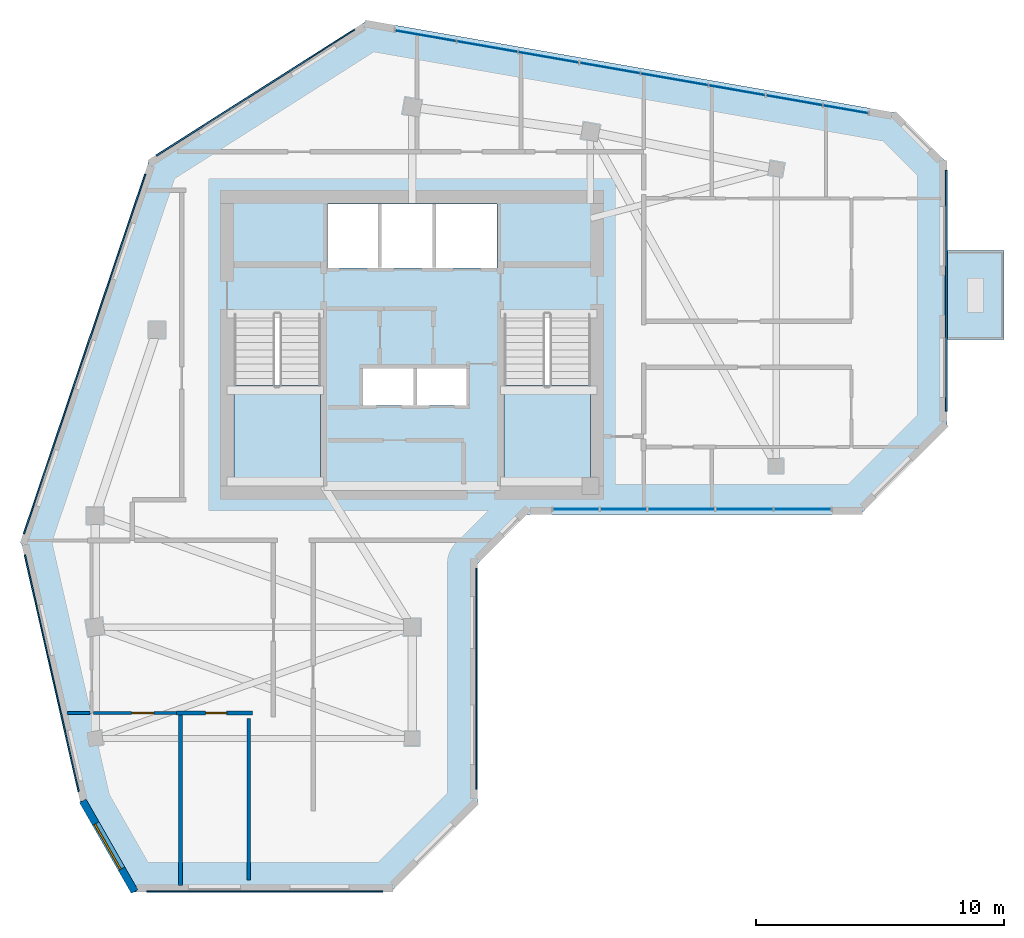
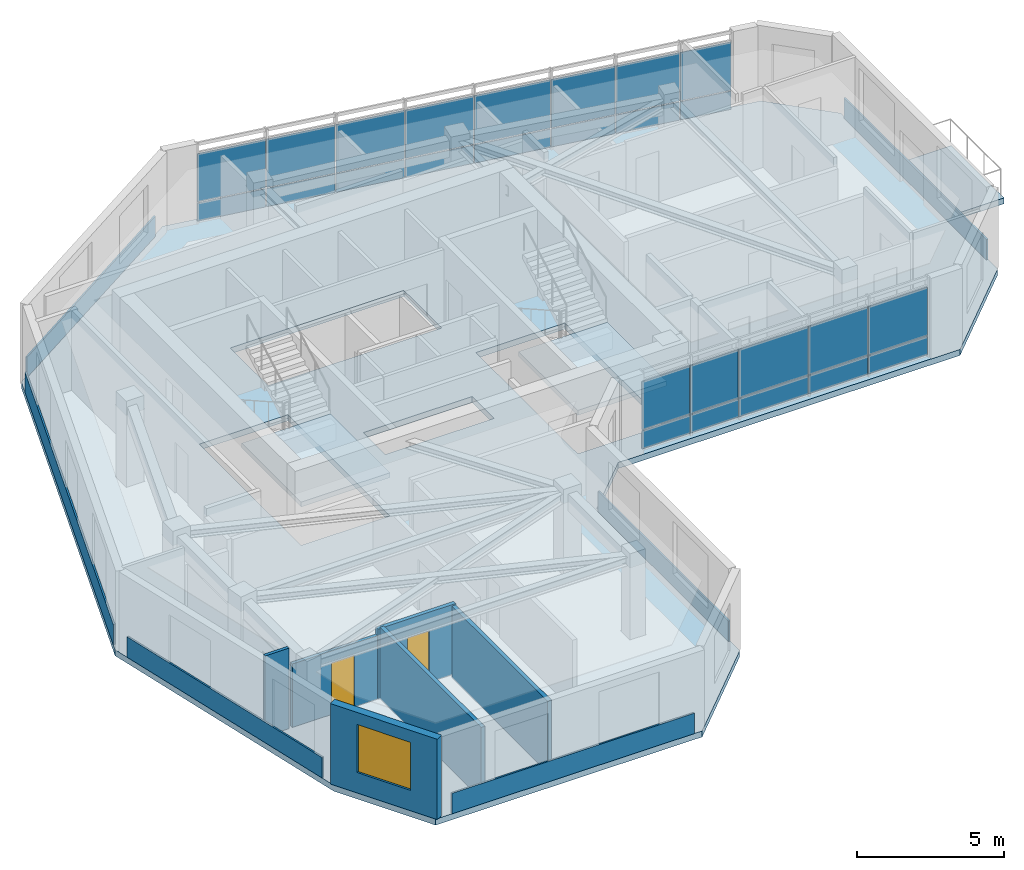
# One storey, part 3 of 10: 32 plates, 6 walls, 4 slabs, 2 doors, 1 window, 3 openings, 4 elements without a shape of their own.
"""IFC4 building model written with IfcOpenShell, lengths in metres."""

from ifc_helpers import new_model, si_unit, direction, frame, frame_2d, origin, place, context, subcontext, project, spatial, polyline, rectangle, outline, extrude, source, transform, mapped, material, layer, layer_set, type_object, element, fill, aggregate, save


model = new_model("IFC4")

# Units and contexts
model_context = context("Model", 3, precision=1e-05, world=origin(), true_north=direction((0.0, 1.0)))
body_context = subcontext(model_context, "Body", "Model", "MODEL_VIEW")
ifc_project = project(units=[si_unit("LENGTHUNIT", "METRE"), si_unit("AREAUNIT", "SQUARE_METRE"), si_unit("VOLUMEUNIT", "CUBIC_METRE"), si_unit("PLANEANGLEUNIT", "RADIAN"), si_unit("MASSUNIT", "GRAM", prefix="KILO")], contexts=[model_context])

# Site, building, storey
site_placement = place(None, origin())
site = spatial("IfcSite", under=ifc_project, at=site_placement, CompositionType="ELEMENT")
building_placement = place(site_placement, origin())
building = spatial("IfcBuilding", under=site, at=building_placement, Name="Calvemar Wedge Station Tower", CompositionType="ELEMENT")
storey_placement = place(building_placement, frame((0.0, 0.0, 267.300048828125)))
storey = spatial("IfcBuildingStorey", under=building, at=storey_placement, Name="L68", CompositionType="ELEMENT", Elevation=267.300048828125)

# Curtain wall, plates
ifc_material_1 = material(Name="Anodised aluminium 6063-T6", Category="aluminium")
curtain_wall_type = type_object("IfcCurtainWallType", Name="CW4", PredefinedType="NOTDEFINED", material=ifc_material_1)
curtain_wall_1_placement = place(storey_placement, origin())
curtain_wall_1 = element("IfcCurtainWall", 1, at=curtain_wall_1_placement, inside=storey, type_object=curtain_wall_type, Name="Storey L68 CW4 Recessed Unitised Curtain Wall 6", PredefinedType="NOTDEFINED")
ifc_material_2 = material(Name="Low-E laminated insulated glass", Category="glass")
ifc_layer_1 = layer(ifc_material_2, 0.028076171875)
ifc_layer_set_1 = layer_set([ifc_layer_1], Name="Low-E laminated insulated glass")
plate_type_1 = type_object("IfcPlateType", Name="CW4-GLZ", PredefinedType="CURTAIN_PANEL", material=ifc_layer_set_1)
plate_1_placement = place(storey_placement, frame((29.48779296875, 33.26611328125, 0.869873046875), z_axis=(0.0, 0.0, 1.0), x_axis=(1.0, 0.0, 0.0)))
plate_1 = element("IfcPlate", 2, at=plate_1_placement, type_object=plate_type_1, Name="CW4 vision glass panel 1", PredefinedType="CURTAIN_PANEL", context=body_context, shape_type="SweptSolid", body=[
    extrude(rectangle(XDim=1.874267578125, YDim=0.028076171875, at=frame_2d((0.93701171875, 0.0))), origin(), (0.0, 0.0, 1.0), 2.010009765625),
])
plate_2_placement = place(storey_placement, frame((31.39794921875, 33.26611328125, 0.869873046875), z_axis=(0.0, 0.0, 1.0), x_axis=(1.0, 0.0, 0.0)))
plate_2 = element("IfcPlate", 3, at=plate_2_placement, type_object=plate_type_1, Name="CW4 vision glass panel 2", PredefinedType="CURTAIN_PANEL", context=body_context, shape_type="SweptSolid", body=[
    extrude(rectangle(XDim=1.8740234375, YDim=0.028076171875, at=frame_2d((0.93701171875, 0.0))), origin(), (0.0, 0.0, 1.0), 2.010009765625),
])
plate_3_placement = place(storey_placement, frame((33.30810546875, 33.26611328125, 0.869873046875), z_axis=(0.0, 0.0, 1.0), x_axis=(1.0, 0.0, 0.0)))
plate_3 = element("IfcPlate", 4, at=plate_3_placement, type_object=plate_type_1, Name="CW4 vision glass panel 3", PredefinedType="CURTAIN_PANEL", context=body_context, shape_type="SweptSolid", body=[
    extrude(rectangle(XDim=2.7138671875, YDim=0.028076171875, at=frame_2d((1.35693359375, 0.0))), origin(), (0.0, 0.0, 1.0), 2.010009765625),
])
plate_4_placement = place(storey_placement, frame((36.05810546875, 33.26611328125, 0.869873046875), z_axis=(0.0, 0.0, 1.0), x_axis=(1.0, 0.0, 0.0)))
plate_4 = element("IfcPlate", 5, at=plate_4_placement, type_object=plate_type_1, Name="CW4 vision glass panel 4", PredefinedType="CURTAIN_PANEL", context=body_context, shape_type="SweptSolid", body=[
    extrude(rectangle(XDim=2.31298828125, YDim=0.028076171875, at=frame_2d((1.156494140625, 0.0))), origin(), (0.0, 0.0, 1.0), 2.010009765625),
])
plate_5_placement = place(storey_placement, frame((38.406982421875, 33.26611328125, 0.869873046875), z_axis=(0.0, 0.0, 1.0), x_axis=(1.0, 0.0, 0.0)))
plate_5 = element("IfcPlate", 6, at=plate_5_placement, type_object=plate_type_1, Name="CW4 vision glass panel 5", PredefinedType="CURTAIN_PANEL", context=body_context, shape_type="SweptSolid", body=[
    extrude(rectangle(XDim=2.31298828125, YDim=0.028076171875, at=frame_2d((1.156494140625, 0.0))), origin(), (0.0, 0.0, 1.0), 2.010009765625),
])

curtain_wall_2_placement = place(storey_placement, origin())
curtain_wall_2 = element("IfcCurtainWall", 7, at=curtain_wall_2_placement, inside=storey, type_object=curtain_wall_type, Name="Storey L68 CW4 Recessed Unitised Curtain Wall 10", PredefinedType="NOTDEFINED")
plate_6_placement = place(storey_placement, frame((42.2158203125, 49.25, 0.869873046875), z_axis=(0.0, 0.0, 1.0), x_axis=(-0.985032723661, 0.172367436939, 0.0)))
plate_6 = element("IfcPlate", 8, at=plate_6_placement, type_object=plate_type_1, Name="CW4 vision glass panel 1", PredefinedType="CURTAIN_PANEL", context=body_context, shape_type="SweptSolid", body=[
    extrude(rectangle(XDim=1.837158203125, YDim=0.028076171875, at=frame_2d((0.91845703125, 0.0))), origin(), (0.0, 0.0, 1.0), 2.010009765625),
])
plate_7_placement = place(storey_placement, frame((40.370849609375, 49.57275390625, 0.869873046875), z_axis=(0.0, 0.0, 1.0), x_axis=(-0.985034958197, 0.172354666692, 0.0)))
plate_7 = element("IfcPlate", 9, at=plate_7_placement, type_object=plate_type_1, Name="CW4 vision glass panel 2", PredefinedType="CURTAIN_PANEL", context=body_context, shape_type="SweptSolid", body=[
    extrude(rectangle(XDim=2.307373046875, YDim=0.028076171875, at=frame_2d((1.15380859375, 0.0))), origin(), (0.0, 0.0, 1.0), 2.010009765625),
])
plate_8_placement = place(storey_placement, frame((38.0625, 49.976806640625, 0.869873046875), z_axis=(0.0, 0.0, 1.0), x_axis=(-0.985056054932, 0.17223405192, 0.0)))
plate_8 = element("IfcPlate", 10, at=plate_8_placement, type_object=plate_type_1, Name="CW4 vision glass panel 3", PredefinedType="CURTAIN_PANEL", context=body_context, shape_type="SweptSolid", body=[
    extrude(rectangle(XDim=2.3076171875, YDim=0.028076171875, at=frame_2d((1.15380859375, 0.0))), origin(), (0.0, 0.0, 1.0), 2.010009765625),
])
plate_9_placement = place(storey_placement, frame((35.75390625, 50.380615234375, 0.869873046875), z_axis=(0.0, 0.0, 1.0), x_axis=(-0.985042874859, 0.172309415559, 0.0)))
plate_9 = element("IfcPlate", 11, at=plate_9_placement, type_object=plate_type_1, Name="CW4 vision glass panel 4", PredefinedType="CURTAIN_PANEL", context=body_context, shape_type="SweptSolid", body=[
    extrude(rectangle(XDim=2.755859375, YDim=0.028076171875, at=frame_2d((1.3779296875, 0.0))), origin(), (0.0, 0.0, 1.0), 2.010009765625),
])
plate_10_placement = place(storey_placement, frame((33.00390625, 50.861572265625, 0.869873046875), z_axis=(0.0, 0.0, 1.0), x_axis=(-0.985043436117, 0.172306206978, 0.0)))
plate_10 = element("IfcPlate", 12, at=plate_10_placement, type_object=plate_type_1, Name="CW4 vision glass panel 5", PredefinedType="CURTAIN_PANEL", context=body_context, shape_type="SweptSolid", body=[
    extrude(rectangle(XDim=2.476806640625, YDim=0.028076171875, at=frame_2d((1.23828125, 0.0))), origin(), (0.0, 0.0, 1.0), 2.010009765625),
])
plate_11_placement = place(storey_placement, frame((30.52880859375, 51.294677734375, 0.869873046875), z_axis=(0.0, 0.0, 1.0), x_axis=(-0.985040509104, 0.172322939343, 0.0)))
plate_11 = element("IfcPlate", 13, at=plate_11_placement, type_object=plate_type_1, Name="CW4 vision glass panel 6", PredefinedType="CURTAIN_PANEL", context=body_context, shape_type="SweptSolid", body=[
    extrude(rectangle(XDim=2.4765625, YDim=0.028076171875, at=frame_2d((1.23828125, 0.0))), origin(), (0.0, 0.0, 1.0), 2.010009765625),
])
plate_12_placement = place(storey_placement, frame((28.053955078125, 51.7275390625, 0.869873046875), z_axis=(0.0, 0.0, 1.0), x_axis=(-0.985028799202, 0.172389862645, 0.0)))
plate_12 = element("IfcPlate", 14, at=plate_12_placement, type_object=plate_type_1, Name="CW4 vision glass panel 7", PredefinedType="CURTAIN_PANEL", context=body_context, shape_type="SweptSolid", body=[
    extrude(rectangle(XDim=2.4853515625, YDim=0.028076171875, at=frame_2d((1.24267578125, 0.0))), origin(), (0.0, 0.0, 1.0), 2.010009765625),
])
plate_13_placement = place(storey_placement, frame((25.5703125, 52.162109375, 0.869873046875), z_axis=(0.0, 0.0, 1.0), x_axis=(-0.985039641183, 0.172327900522, 0.0)))
plate_13 = element("IfcPlate", 15, at=plate_13_placement, type_object=plate_type_1, Name="CW4 vision glass panel 8", PredefinedType="CURTAIN_PANEL", context=body_context, shape_type="SweptSolid", body=[
    extrude(rectangle(XDim=2.48486328125, YDim=0.028076171875, at=frame_2d((1.242431640625, 0.0))), origin(), (0.0, 0.0, 1.0), 2.010009765625),
])

# Plate
ifc_material_3 = material(Name="Oxidized bronze aluminium spandrel panel 5005-H24", Category="aluminium")
ifc_layer_2 = layer(ifc_material_3, 0.0400390625)
ifc_layer_set_2 = layer_set([ifc_layer_2], Name="Oxidized bronze aluminium spandrel panel 5005-H24")
plate_type_2 = type_object("IfcPlateType", Name="CW4-SPD", PredefinedType="SHEET", material=ifc_layer_set_2)
plate_14_placement = place(storey_placement, frame((29.48779296875, 33.26611328125, 0.079833984375), z_axis=(0.0, 0.0, 1.0), x_axis=(1.0, 0.0, 0.0)))
plate_14 = element("IfcPlate", 16, at=plate_14_placement, type_object=plate_type_2, Name="CW4 bronze spandrel panel 1", PredefinedType="SHEET", context=body_context, shape_type="SweptSolid", body=[
    extrude(rectangle(XDim=1.874267578125, YDim=0.0400390625, at=frame_2d((0.93701171875, 0.0))), origin(), (0.0, 0.0, 1.0), 0.75),
])

plate_15_placement = place(storey_placement, frame((31.39794921875, 33.26611328125, 0.079833984375), z_axis=(0.0, 0.0, 1.0), x_axis=(1.0, 0.0, 0.0)))
plate_15 = element("IfcPlate", 17, at=plate_15_placement, type_object=plate_type_2, Name="CW4 bronze spandrel panel 2", PredefinedType="SHEET", context=body_context, shape_type="SweptSolid", body=[
    extrude(rectangle(XDim=1.8740234375, YDim=0.0400390625, at=frame_2d((0.93701171875, 0.0))), origin(), (0.0, 0.0, 1.0), 0.75),
])

plate_16_placement = place(storey_placement, frame((33.30810546875, 33.26611328125, 0.079833984375), z_axis=(0.0, 0.0, 1.0), x_axis=(1.0, 0.0, 0.0)))
plate_16 = element("IfcPlate", 18, at=plate_16_placement, type_object=plate_type_2, Name="CW4 bronze spandrel panel 3", PredefinedType="SHEET", context=body_context, shape_type="SweptSolid", body=[
    extrude(rectangle(XDim=2.7138671875, YDim=0.0400390625, at=frame_2d((1.35693359375, 0.0))), origin(), (0.0, 0.0, 1.0), 0.75),
])

plate_17_placement = place(storey_placement, frame((36.05810546875, 33.26611328125, 0.079833984375), z_axis=(0.0, 0.0, 1.0), x_axis=(1.0, 0.0, 0.0)))
plate_17 = element("IfcPlate", 19, at=plate_17_placement, type_object=plate_type_2, Name="CW4 bronze spandrel panel 4", PredefinedType="SHEET", context=body_context, shape_type="SweptSolid", body=[
    extrude(rectangle(XDim=2.31298828125, YDim=0.0400390625, at=frame_2d((1.156494140625, 0.0))), origin(), (0.0, 0.0, 1.0), 0.75),
])

plate_18_placement = place(storey_placement, frame((38.406982421875, 33.26611328125, 0.079833984375), z_axis=(0.0, 0.0, 1.0), x_axis=(1.0, 0.0, 0.0)))
plate_18 = element("IfcPlate", 20, at=plate_18_placement, type_object=plate_type_2, Name="CW4 bronze spandrel panel 5", PredefinedType="SHEET", context=body_context, shape_type="SweptSolid", body=[
    extrude(rectangle(XDim=2.31298828125, YDim=0.0400390625, at=frame_2d((1.156494140625, 0.0))), origin(), (0.0, 0.0, 1.0), 0.75),
])

aggregate(curtain_wall_1, [plate_14, plate_1, plate_15, plate_2, plate_16, plate_3, plate_17, plate_4, plate_18, plate_5])

plate_19_placement = place(storey_placement, frame((42.2158203125, 49.25, 0.079833984375), z_axis=(0.0, 0.0, 1.0), x_axis=(-0.985032723661, 0.172367436939, 0.0)))
plate_19 = element("IfcPlate", 21, at=plate_19_placement, type_object=plate_type_2, Name="CW4 bronze spandrel panel 1", PredefinedType="SHEET", context=body_context, shape_type="SweptSolid", body=[
    extrude(rectangle(XDim=1.837158203125, YDim=0.0400390625, at=frame_2d((0.91845703125, 0.0))), origin(), (0.0, 0.0, 1.0), 0.75),
])

plate_20_placement = place(storey_placement, frame((40.370849609375, 49.57275390625, 0.079833984375), z_axis=(0.0, 0.0, 1.0), x_axis=(-0.985034958197, 0.172354666692, 0.0)))
plate_20 = element("IfcPlate", 22, at=plate_20_placement, type_object=plate_type_2, Name="CW4 bronze spandrel panel 2", PredefinedType="SHEET", context=body_context, shape_type="SweptSolid", body=[
    extrude(rectangle(XDim=2.307373046875, YDim=0.0400390625, at=frame_2d((1.15380859375, 0.0))), origin(), (0.0, 0.0, 1.0), 0.75),
])

plate_21_placement = place(storey_placement, frame((38.0625, 49.976806640625, 0.079833984375), z_axis=(0.0, 0.0, 1.0), x_axis=(-0.985056054932, 0.17223405192, 0.0)))
plate_21 = element("IfcPlate", 23, at=plate_21_placement, type_object=plate_type_2, Name="CW4 bronze spandrel panel 3", PredefinedType="SHEET", context=body_context, shape_type="SweptSolid", body=[
    extrude(rectangle(XDim=2.3076171875, YDim=0.0400390625, at=frame_2d((1.15380859375, 0.0))), origin(), (0.0, 0.0, 1.0), 0.75),
])

plate_22_placement = place(storey_placement, frame((35.75390625, 50.380615234375, 0.079833984375), z_axis=(0.0, 0.0, 1.0), x_axis=(-0.985042874859, 0.172309415559, 0.0)))
plate_22 = element("IfcPlate", 24, at=plate_22_placement, type_object=plate_type_2, Name="CW4 bronze spandrel panel 4", PredefinedType="SHEET", context=body_context, shape_type="SweptSolid", body=[
    extrude(rectangle(XDim=2.755859375, YDim=0.0400390625, at=frame_2d((1.3779296875, 0.0))), origin(), (0.0, 0.0, 1.0), 0.75),
])

plate_23_placement = place(storey_placement, frame((33.00390625, 50.861572265625, 0.079833984375), z_axis=(0.0, 0.0, 1.0), x_axis=(-0.985043436117, 0.172306206978, 0.0)))
plate_23 = element("IfcPlate", 25, at=plate_23_placement, type_object=plate_type_2, Name="CW4 bronze spandrel panel 5", PredefinedType="SHEET", context=body_context, shape_type="SweptSolid", body=[
    extrude(rectangle(XDim=2.476806640625, YDim=0.0400390625, at=frame_2d((1.23828125, 0.0))), origin(), (0.0, 0.0, 1.0), 0.75),
])

plate_24_placement = place(storey_placement, frame((30.52880859375, 51.294677734375, 0.079833984375), z_axis=(0.0, 0.0, 1.0), x_axis=(-0.985040509104, 0.172322939343, 0.0)))
plate_24 = element("IfcPlate", 26, at=plate_24_placement, type_object=plate_type_2, Name="CW4 bronze spandrel panel 6", PredefinedType="SHEET", context=body_context, shape_type="SweptSolid", body=[
    extrude(rectangle(XDim=2.4765625, YDim=0.0400390625, at=frame_2d((1.23828125, 0.0))), origin(), (0.0, 0.0, 1.0), 0.75),
])

plate_25_placement = place(storey_placement, frame((28.053955078125, 51.7275390625, 0.079833984375), z_axis=(0.0, 0.0, 1.0), x_axis=(-0.985028799202, 0.172389862645, 0.0)))
plate_25 = element("IfcPlate", 27, at=plate_25_placement, type_object=plate_type_2, Name="CW4 bronze spandrel panel 7", PredefinedType="SHEET", context=body_context, shape_type="SweptSolid", body=[
    extrude(rectangle(XDim=2.4853515625, YDim=0.0400390625, at=frame_2d((1.24267578125, 0.0))), origin(), (0.0, 0.0, 1.0), 0.75),
])

plate_26_placement = place(storey_placement, frame((25.5703125, 52.162109375, 0.079833984375), z_axis=(0.0, 0.0, 1.0), x_axis=(-0.985039641183, 0.172327900522, 0.0)))
plate_26 = element("IfcPlate", 28, at=plate_26_placement, type_object=plate_type_2, Name="CW4 bronze spandrel panel 8", PredefinedType="SHEET", context=body_context, shape_type="SweptSolid", body=[
    extrude(rectangle(XDim=2.48486328125, YDim=0.0400390625, at=frame_2d((1.242431640625, 0.0))), origin(), (0.0, 0.0, 1.0), 0.75),
])

aggregate(curtain_wall_2, [plate_19, plate_6, plate_20, plate_7, plate_21, plate_8, plate_22, plate_9, plate_23, plate_10, plate_24, plate_11, plate_25, plate_12, plate_26, plate_13])

# Plates
ifc_material_4 = material(Name="Precast concrete C45", Category="concrete")
ifc_layer_3 = layer(ifc_material_4, 0.06494140625)
ifc_layer_set_3 = layer_set([ifc_layer_3], Name="Precast concrete C45")
plate_type_3 = type_object("IfcPlateType", Name="PL-GFRC-FIN", PredefinedType="USERDEFINED", material=ifc_layer_set_3)
plate_27_placement = place(storey_placement, frame((13.077880859375, 17.830078125, 0.0), z_axis=(0.0, 0.0, 1.0), x_axis=(1.0, 0.0, 0.0)))
element("IfcPlate", 29, at=plate_27_placement, inside=storey, type_object=plate_type_3, Name="Storey L68 Oxidized-Bronze GFRC Spandrel Cladding 2", ObjectType="CLADDING PANEL", PredefinedType="USERDEFINED", context=body_context, shape_type="SweptSolid", body=[
    extrude(rectangle(XDim=9.5419921875, YDim=0.06494140625, at=frame_2d((4.77099609375, 0.0))), origin(), (0.0, 0.0, 1.0), 0.849853515625),
])
plate_28_placement = place(storey_placement, frame((26.402099609375, 21.957275390625, 0.0), z_axis=(0.0, 0.0, 1.0), x_axis=(0.0, 1.0, 0.0)))
element("IfcPlate", 30, at=plate_28_placement, inside=storey, type_object=plate_type_3, Name="Storey L68 Oxidized-Bronze GFRC Spandrel Cladding 4", ObjectType="CLADDING PANEL", PredefinedType="USERDEFINED", context=body_context, shape_type="SweptSolid", body=[
    extrude(rectangle(XDim=8.910888671875, YDim=0.06494140625, at=frame_2d((4.45556640625, 0.0))), origin(), (0.0, 0.0, 1.0), 0.849853515625),
])
plate_29_placement = place(storey_placement, frame((45.3701171875, 37.21337890625, 0.0), z_axis=(0.0, 0.0, 1.0), x_axis=(0.0, 1.0, 0.0)))
element("IfcPlate", 31, at=plate_29_placement, inside=storey, type_object=plate_type_3, Name="Storey L68 Oxidized-Bronze GFRC Spandrel Cladding 8", ObjectType="CLADDING PANEL", PredefinedType="USERDEFINED", context=body_context, shape_type="SweptSolid", body=[
    extrude(rectangle(XDim=9.73046875, YDim=0.06494140625, at=frame_2d((4.865234375, 0.0))), origin(), (0.0, 0.0, 1.0), 0.849853515625),
])
plate_30_placement = place(storey_placement, frame((21.471923828125, 52.62841796875, 0.0), z_axis=(0.0, 0.0, 1.0), x_axis=(-0.843661487732, -0.536875492193, 0.0)))
element("IfcPlate", 32, at=plate_30_placement, inside=storey, type_object=plate_type_3, Name="Storey L68 Oxidized-Bronze GFRC Spandrel Cladding 11", ObjectType="CLADDING PANEL", PredefinedType="USERDEFINED", context=body_context, shape_type="SweptSolid", body=[
    extrude(rectangle(XDim=9.482666015625, YDim=0.06494140625, at=frame_2d((4.7412109375, 0.0))), origin(), (0.0, 0.0, 1.0), 0.849853515625),
])
plate_31_placement = place(storey_placement, frame((13.02685546875, 46.793212890625, 0.0), z_axis=(0.0, 0.0, 1.0), x_axis=(-0.319927671566, -0.947441969181, 0.0)))
element("IfcPlate", 33, at=plate_31_placement, inside=storey, type_object=plate_type_3, Name="Storey L68 Oxidized-Bronze GFRC Spandrel Cladding 12", ObjectType="CLADDING PANEL", PredefinedType="USERDEFINED", context=body_context, shape_type="SweptSolid", body=[
    extrude(rectangle(XDim=15.331787109375, YDim=0.06494140625, at=frame_2d((7.666015625, 0.0))), origin(), (0.0, 0.0, 1.0), 0.849853515625),
])
plate_32_placement = place(storey_placement, frame((8.1630859375, 31.41748046875, 0.0), z_axis=(0.0, 0.0, 1.0), x_axis=(0.221645863547, -0.975127228198, 0.0)))
element("IfcPlate", 34, at=plate_32_placement, inside=storey, type_object=plate_type_3, Name="Storey L68 Oxidized-Bronze GFRC Spandrel Cladding 13", ObjectType="CLADDING PANEL", PredefinedType="USERDEFINED", context=body_context, shape_type="SweptSolid", body=[
    extrude(rectangle(XDim=9.80224609375, YDim=0.06494140625, at=frame_2d((4.901123046875, 0.0))), origin(), (0.0, 0.0, 1.0), 0.849853515625),
])

# Stair, slab
ifc_material_5 = material(Name="Concrete C45", Category="concrete")
stair_type = type_object("IfcStairType", Name="ST-TYPE-3600", PredefinedType="HALF_TURN_STAIR", material=ifc_material_5)
stair_1_placement = place(storey_placement, origin())
stair_1 = element("IfcStair", 35, at=stair_1_placement, inside=storey, type_object=stair_type, Name="L68 Pressurized Core Exit Stair ST-C1", PredefinedType="HALF_TURN_STAIR")
ifc_layer_4 = layer(ifc_material_5, 0.199951171875)
ifc_layer_set_4 = layer_set([ifc_layer_4], Name="Concrete C45")
slab_type_1 = type_object("IfcSlabType", Name="SL-STAIR-LND-200", PredefinedType="LANDING", material=ifc_layer_set_4)
slab_1_placement = place(storey_placement, frame((0.0, 0.0, 1.599853515625)))
slab_1 = element("IfcSlab", 36, at=slab_1_placement, type_object=slab_type_1, Name="ST-C1 landing 1", PredefinedType="LANDING", context=body_context, shape_type="SweptSolid", body=[
    extrude(outline(polyline([(16.60009765625, 38.25), (16.60009765625, 34.199951171875), (20.10009765625, 34.199951171875), (20.10009765625, 38.25), (16.60009765625, 38.25)])), origin(), (0.0, 0.0, 1.0), 0.2001953125),
])
aggregate(stair_1, [slab_1])

stair_2_placement = place(storey_placement, origin())
stair_2 = element("IfcStair", 37, at=stair_2_placement, inside=storey, type_object=stair_type, Name="L68 Pressurized Core Exit Stair ST-C2", PredefinedType="HALF_TURN_STAIR")
slab_2_placement = place(storey_placement, frame((0.0, 0.0, 1.599853515625)))
slab_2 = element("IfcSlab", 38, at=slab_2_placement, type_object=slab_type_1, Name="ST-C2 landing 1", PredefinedType="LANDING", context=body_context, shape_type="SweptSolid", body=[
    extrude(outline(polyline([(27.5, 38.25), (27.5, 34.199951171875), (31.0, 34.199951171875), (31.0, 38.25), (27.5, 38.25)])), origin(), (0.0, 0.0, 1.0), 0.2001953125),
])
aggregate(stair_2, [slab_2])

# Slabs
ifc_layer_5 = layer(ifc_material_5, 0.239990234375)
ifc_layer_set_5 = layer_set([ifc_layer_5], Name="Concrete C45")
slab_type_2 = type_object("IfcSlabType", Name="SL-TERR-240", PredefinedType="FLOOR", material=ifc_layer_set_5)
slab_3_placement = place(storey_placement, frame((0.0, 0.0, -0.239990234375)))
element("IfcSlab", 39, at=slab_3_placement, inside=storey, type_object=slab_type_2, Name="Storey L68 Planted Spiral Terrace Slab", PredefinedType="FLOOR", context=body_context, shape_type="SweptSolid", body=[
    extrude(outline(polyline([(45.39990234375, 40.10595703125), (47.699951171875, 40.10595703125), (47.699951171875, 43.7060546875), (45.39990234375, 43.7060546875), (45.39990234375, 40.10595703125)])), origin(), (0.0, 0.0, 1.0), 0.239990234375),
])
ifc_material_6 = material(Name="Concrete C50", Category="concrete")
ifc_layer_6 = layer(ifc_material_6, 0.25)
ifc_layer_set_6 = layer_set([ifc_layer_6], Name="Concrete C50")
slab_type_3 = type_object("IfcSlabType", Name="SL-TYP-250", PredefinedType="FLOOR", material=ifc_layer_set_6)
slab_4_placement = place(storey_placement, frame((0.0, 0.0, -0.25)))
element("IfcSlab", 40, at=slab_4_placement, inside=storey, type_object=slab_type_3, Name="Storey L68 Structural Floor Slab", PredefinedType="FLOOR", context=body_context, shape_type="SweptSolid", body=[
    extrude(outline(polyline([(8.0, 32.0), (10.431884765625, 21.300048828125), (12.431884765625, 17.800048828125), (22.931884765625, 17.800048828125), (26.431884765625, 21.300048828125), (26.431884765625, 31.055908203125), (28.431884765625, 33.055908203125), (41.89990234375, 33.055908203125), (45.39990234375, 36.555908203125), (45.39990234375, 47.256103515625), (43.39990234375, 49.256103515625), (22.0, 53.0), (13.199951171875, 47.39990234375), (8.0, 32.0)]), holes=[polyline([(20.10009765625, 34.199951171875), (20.10009765625, 41.14990234375), (16.60009765625, 41.14990234375), (16.60009765625, 34.199951171875), (20.10009765625, 34.199951171875)]), polyline([(31.0, 34.199951171875), (31.0, 41.14990234375), (27.5, 41.14990234375), (27.5, 34.199951171875), (31.0, 34.199951171875)]), polyline([(23.929931640625, 38.949951171875), (21.7900390625, 38.949951171875), (21.7900390625, 37.449951171875), (23.929931640625, 37.449951171875), (23.93994140625, 37.449951171875), (26.080078125, 37.449951171875), (26.080078125, 38.949951171875), (23.93994140625, 38.949951171875), (23.929931640625, 38.949951171875)]), polyline([(27.219970703125, 43.0), (27.219970703125, 45.580078125), (20.3798828125, 45.580078125), (20.3798828125, 43.0), (27.219970703125, 43.0)])]), origin(), (0.0, 0.0, 1.0), 0.25),
])

# Wall, opening, window
ifc_layer_7 = layer(ifc_material_4, 0.300048828125)
ifc_layer_set_7 = layer_set([ifc_layer_7], Name="Precast concrete C45")
wall_type_1 = type_object("IfcWallType", Name="W-EXT-GFRC-300", PredefinedType="SOLIDWALL", material=ifc_layer_set_7)
wall_1_placement = place(storey_placement, frame((10.498779296875, 21.4853515625, 0.0), z_axis=(0.0, 0.0, 1.0), x_axis=(0.496163848656, -0.868228907194, 0.0)))
wall_1 = element("IfcWall", 41, at=wall_1_placement, inside=storey, type_object=wall_type_1, Name="Storey L68 Bronze GFRC Exterior Wall 1", PredefinedType="SOLIDWALL", context=body_context, shape_type="SweptSolid", body=[
    extrude(rectangle(XDim=4.221923828125, YDim=0.300048828125, at=frame_2d((2.11083984375, 0.0))), origin(), (0.0, 0.0, 1.0), 3.349853515625),
])
shared_shape_1 = source(origin(), body_context, "Body", "SweptSolid", [
    extrude(rectangle(XDim=2.10009765625, YDim=2.0, at=frame_2d((1.050048828125, 1.0))), frame((0.0, 0.16015625, 0.0), z_axis=(0.0, -1.0, 0.0), x_axis=(1.0, 0.0, 0.0)), (0.0, 0.0, 1.0), 0.320068359375),
])
opening_1_placement = place(wall_1_placement, frame((1.06103515625, 0.0, 0.85009765625)))
opening_1 = element("IfcOpeningElement", 42, at=opening_1_placement, cuts=wall_1, Name="Opening W4", PredefinedType="OPENING", context=body_context, shape_type="MappedRepresentation", body=[
    mapped(shared_shape_1, transform((0.0, 0.0, 0.0), scale=1.0)),
])
window_type = type_object("IfcWindowType", Name="WIN-EXT-4", PartitioningType="SINGLE_PANEL", PredefinedType="WINDOW", material=ifc_material_2)
shared_shape_2 = source(origin(), body_context, "Body", "SweptSolid", [
    extrude(rectangle(XDim=2.10009765625, YDim=2.0, at=frame_2d((1.050048828125, 1.0))), frame((0.0, -0.014892578125, 0.0), z_axis=(0.0, -1.0, 0.0), x_axis=(1.0, 0.0, 0.0)), (0.0, 0.0, 1.0), 0.06005859375),
])
window_placement = place(opening_1_placement, origin())
window = element("IfcWindow", 43, at=window_placement, inside=storey, type_object=window_type, Name="Storey L68 Recessed Window 1.1", OverallHeight=2.0, OverallWidth=2.10009765625, PartitioningType="SINGLE_PANEL", PredefinedType="WINDOW", context=body_context, shape_type="MappedRepresentation", body=[
    mapped(shared_shape_2, transform((0.0, 0.0, 0.0), scale=1.0)),
])
fill(opening_1, window)

# Wall, opening, door
ifc_material_7 = material(Name="Insulated acoustic gypsum stud partition")
ifc_layer_8 = layer(ifc_material_7, 0.125)
ifc_layer_set_8 = layer_set([ifc_layer_8], Name="Insulated acoustic gypsum stud partition")
wall_type_2 = type_object("IfcWallType", Name="W-PART-125", PredefinedType="PARTITIONING", material=ifc_layer_set_8)
wall_2_placement = place(storey_placement, frame((14.2880859375, 25.031982421875, 0.0), z_axis=(0.0, 0.0, 1.0), x_axis=(-1.0, 0.0, 0.0)))
wall_2 = element("IfcWall", 44, at=wall_2_placement, inside=storey, type_object=wall_type_2, Name="Storey L68 Interior Partition WL-L68-048", PredefinedType="PARTITIONING", context=body_context, shape_type="SweptSolid", body=[
    extrude(rectangle(XDim=3.363525390625, YDim=0.125, at=frame_2d((1.681640625, 0.0))), origin(), (0.0, 0.0, 1.0), 2.641845703125),
])
shared_shape_3 = source(origin(), body_context, "Body", "SweptSolid", [
    extrude(rectangle(XDim=0.89990234375, YDim=2.14990234375, at=frame_2d((0.449951171875, 1.074951171875))), frame((0.0, 0.072509765625, 0.0), z_axis=(0.0, -1.0, 0.0), x_axis=(1.0, 0.0, 0.0)), (0.0, 0.0, 1.0), 0.14501953125),
])
opening_2_placement = place(wall_2_placement, frame((0.91455078125, 0.0, 0.0)))
opening_2 = element("IfcOpeningElement", 45, at=opening_2_placement, cuts=wall_2, Name="Opening D-01", PredefinedType="OPENING", context=body_context, shape_type="MappedRepresentation", body=[
    mapped(shared_shape_3, transform((0.0, 0.0, 0.0), scale=1.0)),
])
ifc_material_8 = material(Name="Architectural hardwood acoustic swing door", Category="wood")
door_type_1 = type_object("IfcDoorType", Name="DR-INT-900", OperationType="NOTDEFINED", PredefinedType="DOOR", material=ifc_material_8)
shared_shape_4 = source(origin(), body_context, "Body", "SweptSolid", [
    extrude(rectangle(XDim=0.89990234375, YDim=2.14990234375, at=frame_2d((0.449951171875, 1.074951171875))), frame((0.0, 0.02490234375, 0.0), z_axis=(0.0, -1.0, 0.0), x_axis=(1.0, 0.0, 0.0)), (0.0, 0.0, 1.0), 0.050048828125),
])
door_1_placement = place(opening_2_placement, origin())
door_1 = element("IfcDoor", 46, at=door_1_placement, inside=storey, type_object=door_type_1, Name="L68 Bedroom Door", OperationType="SINGLE_SWING_LEFT", OverallHeight=2.14990234375, OverallWidth=0.89990234375, PredefinedType="DOOR", context=body_context, shape_type="MappedRepresentation", body=[
    mapped(shared_shape_4, transform((0.0, 0.0, 0.0), scale=1.0)),
])
fill(opening_2, door_1)

# Wall
wall_3_placement = place(storey_placement, frame((10.79150390625, 25.031982421875, 0.0), z_axis=(0.0, 0.0, 1.0), x_axis=(-1.0, 0.0, 0.0)))
element("IfcWall", 47, at=wall_3_placement, inside=storey, type_object=wall_type_2, Name="Storey L68 Interior Partition WL-L68-049", PredefinedType="PARTITIONING", context=body_context, shape_type="SweptSolid", body=[
    extrude(rectangle(XDim=0.93603515625, YDim=0.125, at=frame_2d((0.468017578125, 0.0))), origin(), (0.0, 0.0, 1.0), 3.349853515625),
])

# Wall, opening, door
ifc_material_9 = material(Name="Moisture-resistant acoustic bathroom partition")
ifc_layer_9 = layer(ifc_material_9, 0.14990234375)
ifc_layer_set_9 = layer_set([ifc_layer_9], Name="Moisture-resistant acoustic bathroom partition")
wall_type_3 = type_object("IfcWallType", Name="W-WET-150", PredefinedType="PARTITIONING", material=ifc_layer_set_9)
wall_4_placement = place(storey_placement, frame((17.360107421875, 25.031982421875, 0.0), z_axis=(0.0, 0.0, 1.0), x_axis=(-1.0, 0.0, 0.0)))
wall_4 = element("IfcWall", 48, at=wall_4_placement, inside=storey, type_object=wall_type_3, Name="Storey L68 Interior Partition WL-L68-047", PredefinedType="PARTITIONING", context=body_context, shape_type="SweptSolid", body=[
    extrude(rectangle(XDim=3.070068359375, YDim=0.14990234375, at=frame_2d((1.53515625, 0.0))), origin(), (0.0, 0.0, 1.0), 2.921875),
])
shared_shape_5 = source(origin(), body_context, "Body", "SweptSolid", [
    extrude(rectangle(XDim=0.85009765625, YDim=2.14990234375, at=frame_2d((0.425048828125, 1.074951171875))), frame((0.0, 0.0849609375, 0.0), z_axis=(0.0, -1.0, 0.0), x_axis=(1.0, 0.0, 0.0)), (0.0, 0.0, 1.0), 0.169921875),
])
opening_3_placement = place(wall_4_placement, frame((1.046142578125, 0.0, 0.0)))
opening_3 = element("IfcOpeningElement", 49, at=opening_3_placement, cuts=wall_4, Name="Opening D-02", PredefinedType="OPENING", context=body_context, shape_type="MappedRepresentation", body=[
    mapped(shared_shape_5, transform((0.0, 0.0, 0.0), scale=1.0)),
])
ifc_material_10 = material(Name="Moisture-sealed bathroom hardwood swing door", Category="wood")
door_type_2 = type_object("IfcDoorType", Name="DR-WET-850", OperationType="NOTDEFINED", PredefinedType="DOOR", material=ifc_material_10)
shared_shape_6 = source(origin(), body_context, "Body", "SweptSolid", [
    extrude(rectangle(XDim=0.85009765625, YDim=2.14990234375, at=frame_2d((0.425048828125, 1.074951171875))), frame((0.0, 0.02490234375, 0.0), z_axis=(0.0, -1.0, 0.0), x_axis=(1.0, 0.0, 0.0)), (0.0, 0.0, 1.0), 0.050048828125),
])
door_2_placement = place(opening_3_placement, origin())
door_2 = element("IfcDoor", 50, at=door_2_placement, inside=storey, type_object=door_type_2, Name="L68 Bathroom Door", OperationType="SINGLE_SWING_RIGHT", OverallHeight=2.14990234375, OverallWidth=0.85009765625, PredefinedType="DOOR", context=body_context, shape_type="MappedRepresentation", body=[
    mapped(shared_shape_6, transform((0.0, 0.0, 0.0), scale=1.0)),
])
fill(opening_3, door_2)

# Walls
wall_5_placement = place(storey_placement, frame((14.449951171875, 18.06494140625, 0.0), z_axis=(0.0, 0.0, 1.0), x_axis=(0.0, 1.0, 0.0)))
element("IfcWall", 51, at=wall_5_placement, inside=storey, type_object=wall_type_3, Name="Storey L68 Interior Partition WL-L68-050", PredefinedType="PARTITIONING", context=body_context, shape_type="SweptSolid", body=[
    extrude(rectangle(XDim=6.887939453125, YDim=0.14990234375, at=frame_2d((3.44384765625, 0.0))), origin(), (0.0, 0.0, 1.0), 2.97900390625),
])
wall_6_placement = place(storey_placement, frame((17.199951171875, 24.81201171875, 0.0), z_axis=(0.0, 0.0, 1.0), x_axis=(0.0, -1.0, 0.0)))
element("IfcWall", 52, at=wall_6_placement, inside=storey, type_object=wall_type_3, Name="Storey L68 Bathroom Enclosure Wall WL-L68-051", PredefinedType="PARTITIONING", context=body_context, shape_type="SweptSolid", body=[
    extrude(rectangle(XDim=6.527099609375, YDim=0.14990234375, at=frame_2d((3.263671875, 0.0))), origin(), (0.0, 0.0, 1.0), 2.97900390625),
])

save(model, "model.ifc")
